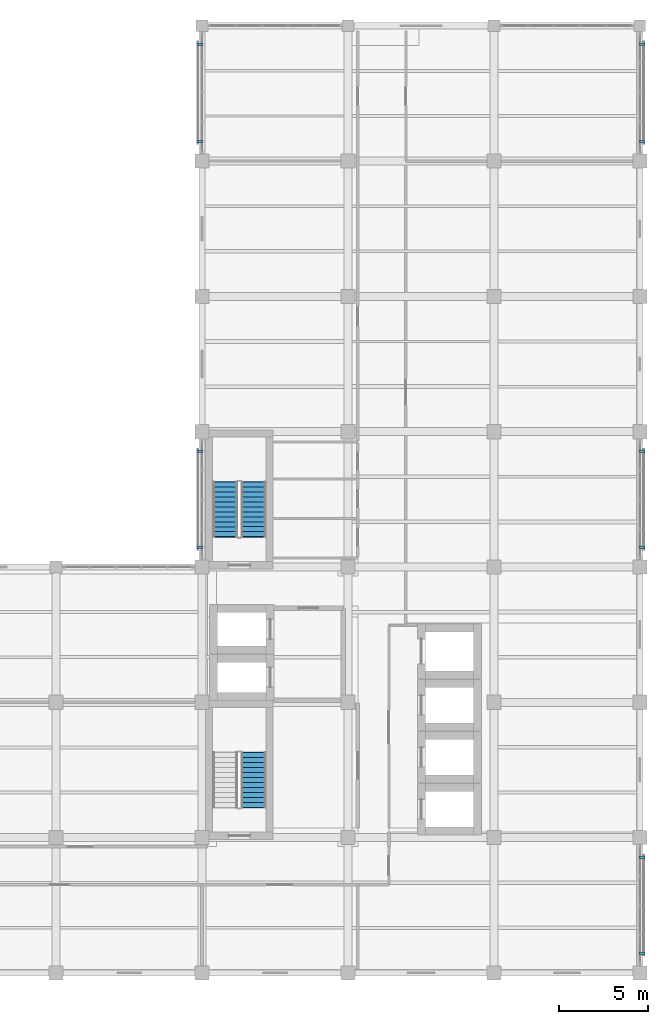
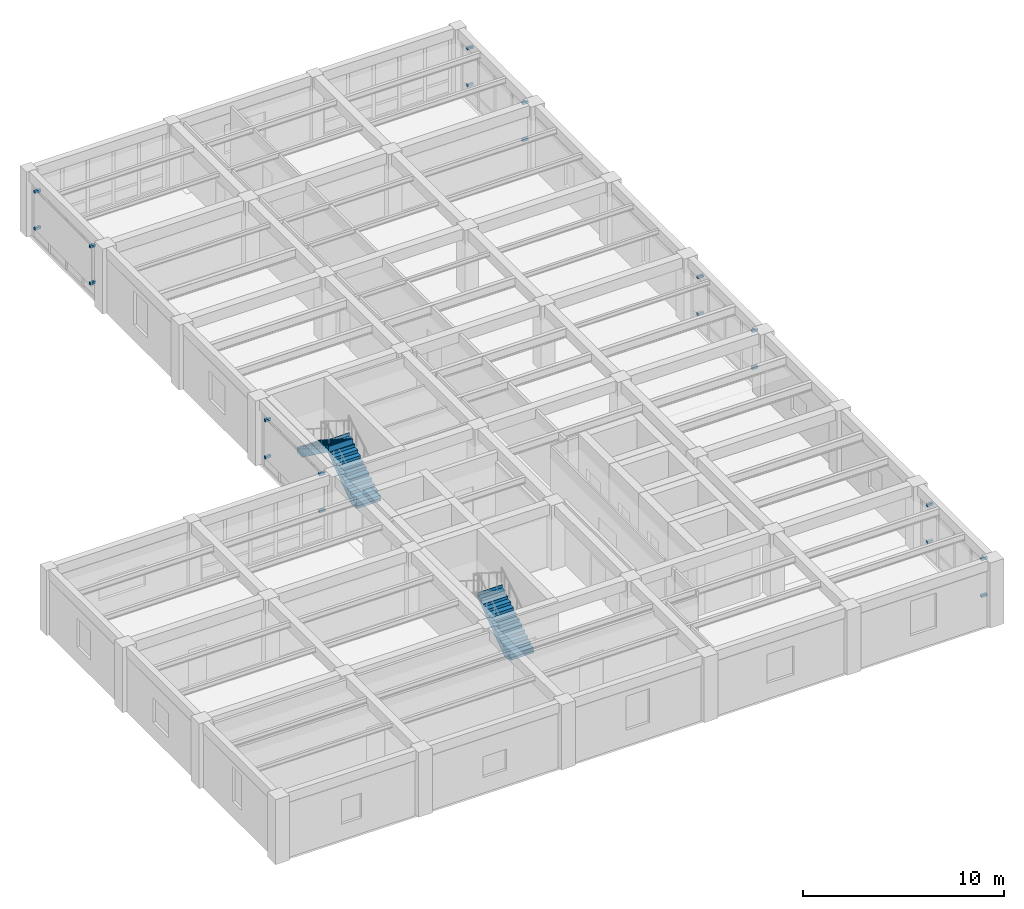
# One storey, part 10 of 14: 20 discrete accessories, 3 stair flights, 2 elements without a shape of their own.
"""IFC4 building model written with IfcOpenShell, lengths in metres."""

import ifcopenshell
import ifcopenshell.guid

model = None  # the IFC model being written
_history = None  # IfcOwnerHistory: only IFC2X3 demands one
_inside = {}  # id of a spatial element -> (the spatial element, [elements in it])
_under = {}  # id of a project, library or spatial element -> (it, [spatial elements below it])
_declared = {}  # id of a project -> (the project, [libraries it declares])
_typed = {}  # id of a type object -> (the type object, [elements of that type])
_made_of = {}  # id of a material, layer set ... -> (it, [elements and type objects made of it])


def new_model(schema):
    """Start an empty IFC model of exactly this schema.

    Asked for "IFC4X3", IfcOpenShell would pick the latest addendum, in which some entities
    have other attributes; the version numbers below select the first issue.
    IFC2X3 requires an IfcOwnerHistory on every rooted entity: one is made here for all.
    """
    global model, _history
    if schema == "IFC4X3":
        model = ifcopenshell.file(schema_version=(4, 3, 0, 0))
    else:
        model = ifcopenshell.file(schema=schema)
    _inside.clear()
    _under.clear()
    _declared.clear()
    _typed.clear()
    _made_of.clear()
    _history = None
    if model.schema == "IFC2X3":
        org = make("IfcOrganization", Name="unknown")
        user = make(
            "IfcPersonAndOrganization",
            ThePerson=make("IfcPerson", FamilyName="unknown"),
            TheOrganization=org,
        )
        app = make(
            "IfcApplication",
            ApplicationDeveloper=org,
            Version="unknown",
            ApplicationFullName="unknown",
            ApplicationIdentifier="unknown",
        )
        _history = make(
            "IfcOwnerHistory",
            OwningUser=user,
            OwningApplication=app,
            ChangeAction="ADDED",
            CreationDate=0,
        )
    return model


def make(cls, **values):
    """One entity of the class cls with the attributes given. An attribute that is None is left unset."""
    return model.create_entity(
        cls, **{name: value for name, value in values.items() if value is not None}
    )


def rooted(cls, **values):
    """An entity with a GlobalId (a new one), such as an element, a storey or a relation."""
    return make(cls, GlobalId=ifcopenshell.guid.new(), OwnerHistory=_history, **values)


def si_unit(unit_type, name, prefix=None):
    """IfcSIUnit, for example si_unit("LENGTHUNIT", "METRE", prefix="MILLI")."""
    return make("IfcSIUnit", UnitType=unit_type, Prefix=prefix, Name=name)


def assignment(units):
    """IfcUnitAssignment: the units of a project."""
    return None if units is None else make("IfcUnitAssignment", Units=units)


def point(xyz):
    """IfcCartesianPoint."""
    return None if xyz is None else make("IfcCartesianPoint", Coordinates=xyz)


def direction(xyz):
    """IfcDirection."""
    return None if xyz is None else make("IfcDirection", DirectionRatios=xyz)


def frame(location, z_axis=None, x_axis=None):
    """IfcAxis2Placement3D, a coordinate frame: its origin and axes. An axis left out is left unset."""
    return make(
        "IfcAxis2Placement3D",
        Location=point(location),
        Axis=direction(z_axis),
        RefDirection=direction(x_axis),
    )


def frame_2d(location, x_axis=None):
    """IfcAxis2Placement2D, a coordinate frame in the plane: its origin and x axis."""
    return make(
        "IfcAxis2Placement2D", Location=point(location), RefDirection=direction(x_axis)
    )


def origin():
    """The frame at (0, 0, 0) with its axes left unset."""
    return frame((0.0, 0.0, 0.0))


def origin_2d():
    """The frame at (0, 0) in the plane with its x axis left unset."""
    return frame_2d((0.0, 0.0))


def place(relative_to, where):
    """IfcLocalPlacement: puts the frame where relative to a parent placement (None: the world)."""
    return make(
        "IfcLocalPlacement", PlacementRelTo=relative_to, RelativePlacement=where
    )


def context(
    kind, dimensions, precision=None, world=None, true_north=None, identifier=None
):
    """IfcGeometricRepresentationContext, for example the 3D "Model" context."""
    return make(
        "IfcGeometricRepresentationContext",
        ContextIdentifier=identifier,
        ContextType=kind,
        CoordinateSpaceDimension=dimensions,
        Precision=precision,
        WorldCoordinateSystem=world,
        TrueNorth=true_north,
    )


def subcontext(parent, identifier, kind, view, scale=None):
    """IfcGeometricRepresentationSubContext, for example "Body" below "Model"."""
    return make(
        "IfcGeometricRepresentationSubContext",
        ContextIdentifier=identifier,
        ContextType=kind,
        ParentContext=parent,
        TargetScale=scale,
        TargetView=view,
    )


def project(units=None, contexts=None):
    """IfcProject with its units and contexts."""
    return rooted(
        "IfcProject",
        Name="project",
        RepresentationContexts=contexts,
        UnitsInContext=assignment(units),
    )


def spatial(cls, under=None, at=None, **own):
    """A site, building, storey or space (cls), placed at a placement, below another one or the project."""
    s = rooted(cls, ObjectPlacement=at, **own)
    if under is not None:
        _under.setdefault(under.id(), (under, []))[1].append(s)
    return s


def polyline(points):
    """IfcPolyline through the points."""
    return make("IfcPolyline", Points=[point(p) for p in points])


def profile(cls, at=None, kind="AREA", **sizes):
    """A parametric profile (cls). Its sizes go by their IFC names, for example OverallWidth=200.0."""
    return make(cls, ProfileType=kind, Position=at, **sizes)


def rectangle(**sizes):
    """IfcRectangleProfileDef."""
    return profile("IfcRectangleProfileDef", **sizes)


def outline(outer, holes=None, kind="AREA"):
    """IfcArbitraryClosedProfileDef: a profile drawn as a closed curve; with holes, ...WithVoids."""
    if holes is None:
        return make("IfcArbitraryClosedProfileDef", ProfileType=kind, OuterCurve=outer)
    return make(
        "IfcArbitraryProfileDefWithVoids",
        ProfileType=kind,
        OuterCurve=outer,
        InnerCurves=holes,
    )


def extrude(swept, where, along, depth):
    """IfcExtrudedAreaSolid: the profile swept, set in the frame where, extruded along a direction by depth."""
    return make(
        "IfcExtrudedAreaSolid",
        SweptArea=swept,
        Position=where,
        ExtrudedDirection=direction(along),
        Depth=depth,
    )


def shape(context_of_items, identifier, shape_type, items):
    """IfcShapeRepresentation: the items that make up one representation, for example the "Body"."""
    return make(
        "IfcShapeRepresentation",
        ContextOfItems=context_of_items,
        RepresentationIdentifier=identifier,
        RepresentationType=shape_type,
        Items=items,
    )


def material(Name=None, Category=None):
    """IfcMaterial."""
    return make("IfcMaterial", Name=Name, Category=Category)


def made_of(thing, what):
    """Note that an element or type object is made of a material, layer set ...; save() writes the relation."""
    if what is not None:
        _made_of.setdefault(what.id(), (what, []))[1].append(thing)
    return thing


def type_object(cls, material=None, **own):
    """A type object (cls), such as IfcWallType, which elements share."""
    return made_of(rooted(cls, **own), material)


def element(
    cls,
    number,
    at=None,
    inside=None,
    cuts=None,
    type_object=None,
    material=None,
    context=None,
    identifier="Body",
    shape_type=None,
    held_by="IfcProductDefinitionShape",
    body=None,
    shapes=None,
    **own,
):
    """One element of the class cls, such as IfcWall. Its Tag is "e" and its number.

    at: its placement. inside: the storey or other place that contains it. cuts: it is an
    opening in that element (IfcRelVoidsElement). A single representation is given by context,
    identifier, shape_type and body (its items); several are given by shapes. held_by: the class
    of the entity that holds the representations. save() writes the other relations.
    """
    e = rooted(cls, Tag="e%d" % number, ObjectPlacement=at, **own)
    if body is not None:
        shapes = [shape(context, identifier, shape_type, body)]
    if shapes is not None:
        e.Representation = make(held_by, Representations=shapes)
    if inside is not None:
        _inside.setdefault(inside.id(), (inside, []))[1].append(e)
    if cuts is not None:
        rooted(
            "IfcRelVoidsElement", RelatingBuildingElement=cuts, RelatedOpeningElement=e
        )
    if type_object is not None:
        _typed.setdefault(type_object.id(), (type_object, []))[1].append(e)
    return made_of(e, material)


def aggregate(whole, parts):
    """IfcRelAggregates: a whole, such as a stair, and the parts it consists of."""
    return rooted("IfcRelAggregates", RelatingObject=whole, RelatedObjects=parts)


def save(model, path):
    """Write the relations noted so far, then the file.

    IfcRelAggregates (storeys below a building ...), IfcRelContainedInSpatialStructure (elements
    in a storey), IfcRelDefinesByType, IfcRelAssociatesMaterial and IfcRelDeclares: one each for
    every whole, place, type object, material and project.
    """
    for whole, parts in _under.values():
        aggregate(whole, parts)
    for where, things in _inside.values():
        rooted(
            "IfcRelContainedInSpatialStructure",
            RelatedElements=things,
            RelatingStructure=where,
        )
    for kind, things in _typed.values():
        rooted("IfcRelDefinesByType", RelatedObjects=things, RelatingType=kind)
    for what, things in _made_of.values():
        rooted("IfcRelAssociatesMaterial", RelatedObjects=things, RelatingMaterial=what)
    for by, libraries in _declared.values():
        rooted("IfcRelDeclares", RelatingContext=by, RelatedDefinitions=libraries)
    model.write(path)


model = new_model("IFC4")

# Units and contexts
model_context = context("Model", 3, precision=1e-05, world=origin(), true_north=direction((0.0, 1.0)))
body_context = subcontext(model_context, "Body", "Model", "MODEL_VIEW")
ifc_project = project(units=[si_unit("LENGTHUNIT", "METRE"), si_unit("AREAUNIT", "SQUARE_METRE"), si_unit("VOLUMEUNIT", "CUBIC_METRE"), si_unit("PLANEANGLEUNIT", "RADIAN"), si_unit("MASSUNIT", "GRAM", prefix="KILO")], contexts=[model_context])

# Site, building, storey
site_placement = place(None, origin())
site = spatial("IfcSite", under=ifc_project, at=site_placement, CompositionType="ELEMENT")
building_placement = place(site_placement, origin())
building = spatial("IfcBuilding", under=site, at=building_placement, Name="Qandaris Square Conservatory and Botanical Centre", CompositionType="ELEMENT")
storey_placement = place(building_placement, frame((0.0, 0.0, 40.800048828125)))
storey = spatial("IfcBuildingStorey", under=building, at=storey_placement, Name="L09", CompositionType="ELEMENT", Elevation=40.800048828125)

# Stair, stair flight
ifc_material_1 = material(Name="Concrete C40/50", Category="concrete")
stair_type = type_object("IfcStairType", Name="Core Escape Scissor Stair", PredefinedType="HALF_TURN_STAIR", material=ifc_material_1)
stair_1_placement = place(storey_placement, origin())
stair_1 = element("IfcStair", 1, at=stair_1_placement, inside=storey, type_object=stair_type, Name="L09 Tower South Exit Stair ST-1", PredefinedType="HALF_TURN_STAIR")
ifc_material_2 = material(Name="Precast concrete C40/50", Category="concrete")
stair_flight_type = type_object("IfcStairFlightType", Name="RC Precast Stair Flight 1400mm", PredefinedType="STRAIGHT", material=ifc_material_2)
stair_flight_1_placement = place(storey_placement, frame((142.10009765625, 25.89990234375, 0.0), z_axis=(0.0, 0.0, 1.0), x_axis=(0.0, 1.0, 0.0)))
stair_flight_1 = element("IfcStairFlight", 2, at=stair_flight_1_placement, type_object=stair_flight_type, Name="ST-1 flight 1", NumberOfRisers=12, NumberOfTreads=11, PredefinedType="STRAIGHT", RiserHeight=0.175, TreadLength=0.28, context=body_context, shape_type="SweptSolid", body=[
    extrude(outline(polyline([(-0.034912109375, 0.0), (0.0, 0.0), (0.0, 0.175048828125), (0.280029296875, 0.175048828125), (0.280029296875, 0.35009765625), (0.56005859375, 0.35009765625), (0.56005859375, 0.52490234375), (0.840087890625, 0.52490234375), (0.840087890625, 0.699951171875), (1.1201171875, 0.699951171875), (1.1201171875, 0.875), (1.39990234375, 0.875), (1.39990234375, 1.050048828125), (1.679931640625, 1.050048828125), (1.679931640625, 1.22509765625), (1.9599609375, 1.22509765625), (1.9599609375, 1.39990234375), (2.239990234375, 1.39990234375), (2.239990234375, 1.574951171875), (2.52001953125, 1.574951171875), (2.52001953125, 1.75), (2.800048828125, 1.75), (2.800048828125, 1.925048828125), (3.080078125, 1.925048828125), (3.080078125, 2.10009765625), (3.114990234375, 2.10009765625), (3.114990234375, 1.748291015625), (3.080078125, 1.748291015625), (0.5068359375, -0.139892578125), (-0.034912109375, -0.139892578125), (-0.034912109375, 0.0)])), frame((0.0, 0.699951171875, 0.0), z_axis=(0.0, -1.0, 0.0), x_axis=(1.0, 0.0, 0.0)), (0.0, 0.0, 1.0), 1.39990234375),
])
aggregate(stair_1, [stair_flight_1])

# Stair, stair flights
stair_2_placement = place(storey_placement, origin())
stair_2 = element("IfcStair", 3, at=stair_2_placement, inside=storey, type_object=stair_type, Name="L09 Tower North Exit Stair ST-2", PredefinedType="HALF_TURN_STAIR")
stair_flight_2_placement = place(storey_placement, frame((142.10009765625, 41.10009765625, 0.0), z_axis=(0.0, 0.0, 1.0), x_axis=(0.0, 1.0, 0.0)))
stair_flight_2 = element("IfcStairFlight", 4, at=stair_flight_2_placement, type_object=stair_flight_type, Name="ST-2 flight 1", NumberOfRisers=12, NumberOfTreads=11, PredefinedType="STRAIGHT", RiserHeight=0.175, TreadLength=0.28, context=body_context, shape_type="SweptSolid", body=[
    extrude(outline(polyline([(-0.034912109375, 0.0), (0.0, 0.0), (0.0, 0.175048828125), (0.280029296875, 0.175048828125), (0.280029296875, 0.35009765625), (0.56005859375, 0.35009765625), (0.56005859375, 0.52490234375), (0.840087890625, 0.52490234375), (0.840087890625, 0.699951171875), (1.1201171875, 0.699951171875), (1.1201171875, 0.875), (1.39990234375, 0.875), (1.39990234375, 1.050048828125), (1.679931640625, 1.050048828125), (1.679931640625, 1.22509765625), (1.9599609375, 1.22509765625), (1.9599609375, 1.39990234375), (2.239990234375, 1.39990234375), (2.239990234375, 1.574951171875), (2.52001953125, 1.574951171875), (2.52001953125, 1.75), (2.800048828125, 1.75), (2.800048828125, 1.925048828125), (3.080078125, 1.925048828125), (3.080078125, 2.10009765625), (3.114990234375, 2.10009765625), (3.114990234375, 1.748291015625), (3.080078125, 1.748291015625), (0.5068359375, -0.139892578125), (-0.034912109375, -0.139892578125), (-0.034912109375, 0.0)])), frame((0.0, 0.699951171875, 0.0), z_axis=(0.0, -1.0, 0.0), x_axis=(1.0, 0.0, 0.0)), (0.0, 0.0, 1.0), 1.39990234375),
])
stair_flight_3_placement = place(storey_placement, frame((140.5, 44.179931640625, 2.099853515625), z_axis=(0.0, 0.0, 1.0), x_axis=(0.0, -1.0, 0.0)))
stair_flight_3 = element("IfcStairFlight", 5, at=stair_flight_3_placement, type_object=stair_flight_type, Name="ST-2 flight 2", NumberOfRisers=12, NumberOfTreads=11, PredefinedType="STRAIGHT", RiserHeight=0.175, TreadLength=0.28, context=body_context, shape_type="SweptSolid", body=[
    extrude(outline(polyline([(-0.034912109375, 0.0), (0.0, 0.0), (0.0, 0.175048828125), (0.280029296875, 0.175048828125), (0.280029296875, 0.35009765625), (0.56005859375, 0.35009765625), (0.56005859375, 0.52490234375), (0.840087890625, 0.52490234375), (0.840087890625, 0.699951171875), (1.1201171875, 0.699951171875), (1.1201171875, 0.875), (1.39990234375, 0.875), (1.39990234375, 1.050048828125), (1.679931640625, 1.050048828125), (1.679931640625, 1.22509765625), (1.9599609375, 1.22509765625), (1.9599609375, 1.39990234375), (2.239990234375, 1.39990234375), (2.239990234375, 1.574951171875), (2.52001953125, 1.574951171875), (2.52001953125, 1.75), (2.800048828125, 1.75), (2.800048828125, 1.925048828125), (3.080078125, 1.925048828125), (3.080078125, 2.10009765625), (3.114990234375, 2.10009765625), (3.114990234375, 1.748291015625), (3.080078125, 1.748291015625), (0.5068359375, -0.139892578125), (-0.034912109375, -0.139892578125), (-0.034912109375, 0.0)])), frame((0.0, 0.699951171875, 0.0), z_axis=(0.0, -1.0, 0.0), x_axis=(1.0, 0.0, 0.0)), (0.0, 0.0, 1.0), 1.39990234375),
])
aggregate(stair_2, [stair_flight_2, stair_flight_3])

# Discrete accessories
ifc_material_3 = material(Name="Steel S355", Category="steel")
discrete_accessory_type = type_object("IfcDiscreteAccessoryType", Name="Mashrabiya Support Outrigger Bracket", PredefinedType="BRACKET", material=ifc_material_3)
for number, where, z_axis, x_axis, name in (
    (6, (163.909912109375, 17.699951171875, 0.8515625), (0.0, 0.0, 1.0), (0.0, 1.0, 0.0), "Mashrabiya Bracket CW-TWR-L09-2-1-BRK-6-417"),
    (7, (163.909912109375, 17.699951171875, 3.08984375), (0.0, 0.0, 1.0), (0.0, 1.0, 0.0), "Mashrabiya Bracket CW-TWR-L09-2-1-BRK-6-440"),
    (8, (163.909912109375, 23.10009765625, 0.8515625), (0.0, 0.0, 1.0), (0.0, 1.0, 0.0), "Mashrabiya Bracket CW-TWR-L09-2-1-BRK-60-417"),
    (9, (163.909912109375, 23.10009765625, 3.08984375), (0.0, 0.0, 1.0), (0.0, 1.0, 0.0), "Mashrabiya Bracket CW-TWR-L09-2-1-BRK-60-440"),
    (10, (163.909912109375, 40.5, 0.8515625), (0.0, 0.0, 1.0), (0.0, 1.0, 0.0), "Mashrabiya Bracket CW-TWR-L09-2-4-BRK-6-417"),
    (11, (163.909912109375, 40.5, 3.08984375), (0.0, 0.0, 1.0), (0.0, 1.0, 0.0), "Mashrabiya Bracket CW-TWR-L09-2-4-BRK-6-440"),
    (12, (163.909912109375, 45.89990234375, 0.8515625), (0.0, 0.0, 1.0), (0.0, 1.0, 0.0), "Mashrabiya Bracket CW-TWR-L09-2-4-BRK-60-417"),
    (13, (163.909912109375, 45.89990234375, 3.08984375), (0.0, 0.0, 1.0), (0.0, 1.0, 0.0), "Mashrabiya Bracket CW-TWR-L09-2-4-BRK-60-440"),
    (14, (163.909912109375, 63.300048828125, 0.8515625), (0.0, 0.0, 1.0), (0.0, 1.0, 0.0), "Mashrabiya Bracket CW-TWR-L09-2-7-BRK-6-417"),
    (15, (163.909912109375, 63.300048828125, 3.08984375), (0.0, 0.0, 1.0), (0.0, 1.0, 0.0), "Mashrabiya Bracket CW-TWR-L09-2-7-BRK-6-440"),
    (16, (163.909912109375, 68.77490234375, 0.8515625), (0.0, 0.0, 1.0), (0.0, 1.0, 0.0), "Mashrabiya Bracket CW-TWR-L09-2-7-BRK-61-417"),
    (17, (163.909912109375, 68.77490234375, 3.08984375), (0.0, 0.0, 1.0), (0.0, 1.0, 0.0), "Mashrabiya Bracket CW-TWR-L09-2-7-BRK-61-440"),
    (18, (139.090087890625, 68.77490234375, 0.8515625), (0.0, 0.0, 1.0), (0.0, -1.0, 0.0), "Mashrabiya Bracket CW-TWR-L09-4-1-BRK-6-417"),
    (19, (139.090087890625, 68.77490234375, 3.08984375), (0.0, 0.0, 1.0), (0.0, -1.0, 0.0), "Mashrabiya Bracket CW-TWR-L09-4-1-BRK-6-440"),
    (20, (139.090087890625, 63.300048828125, 0.8515625), (0.0, 0.0, 1.0), (0.0, -1.0, 0.0), "Mashrabiya Bracket CW-TWR-L09-4-1-BRK-61-417"),
    (21, (139.090087890625, 63.300048828125, 3.08984375), (0.0, 0.0, 1.0), (0.0, -1.0, 0.0), "Mashrabiya Bracket CW-TWR-L09-4-1-BRK-61-440"),
    (22, (139.090087890625, 45.89990234375, 0.8515625), (0.0, 0.0, 1.0), (0.0, -1.0, 0.0), "Mashrabiya Bracket CW-TWR-L09-4-4-BRK-6-417"),
    (23, (139.090087890625, 45.89990234375, 3.08984375), (0.0, 0.0, 1.0), (0.0, -1.0, 0.0), "Mashrabiya Bracket CW-TWR-L09-4-4-BRK-6-440"),
    (24, (139.090087890625, 40.5, 0.8515625), (0.0, 0.0, 1.0), (0.0, -1.0, 0.0), "Mashrabiya Bracket CW-TWR-L09-4-4-BRK-60-417"),
    (25, (139.090087890625, 40.5, 3.08984375), (0.0, 0.0, 1.0), (0.0, -1.0, 0.0), "Mashrabiya Bracket CW-TWR-L09-4-4-BRK-60-440"),
):
    element("IfcDiscreteAccessory", number, at=place(storey_placement, frame(where, z_axis=z_axis, x_axis=x_axis)), inside=storey, type_object=discrete_accessory_type, Name=name, PredefinedType="BRACKET", context=body_context, shape_type="SweptSolid", body=[
        extrude(rectangle(XDim=0.139892578125, YDim=0.340087890625, at=origin_2d()), origin(), (0.0, 0.0, 1.0), 0.139892578125),
    ])

save(model, "model.ifc")
